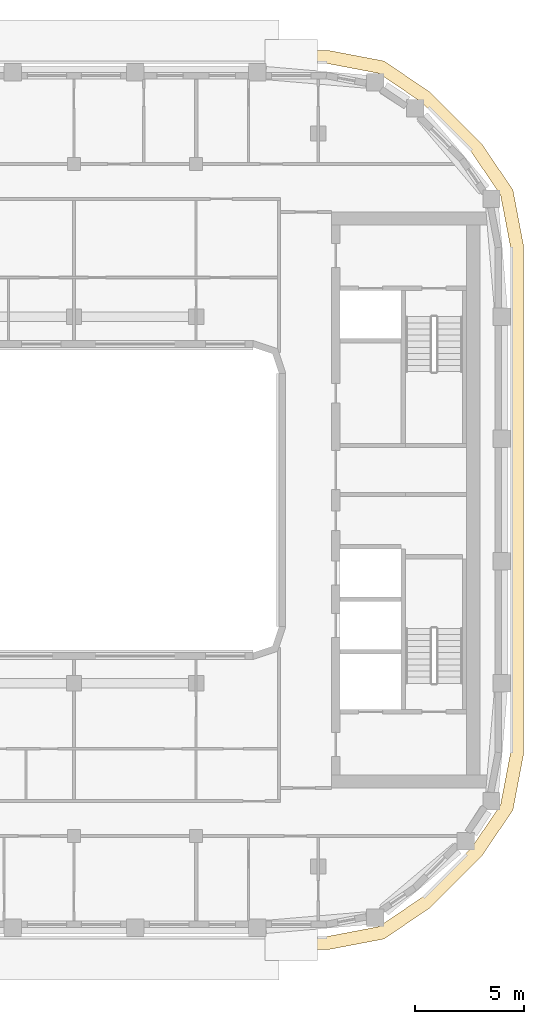
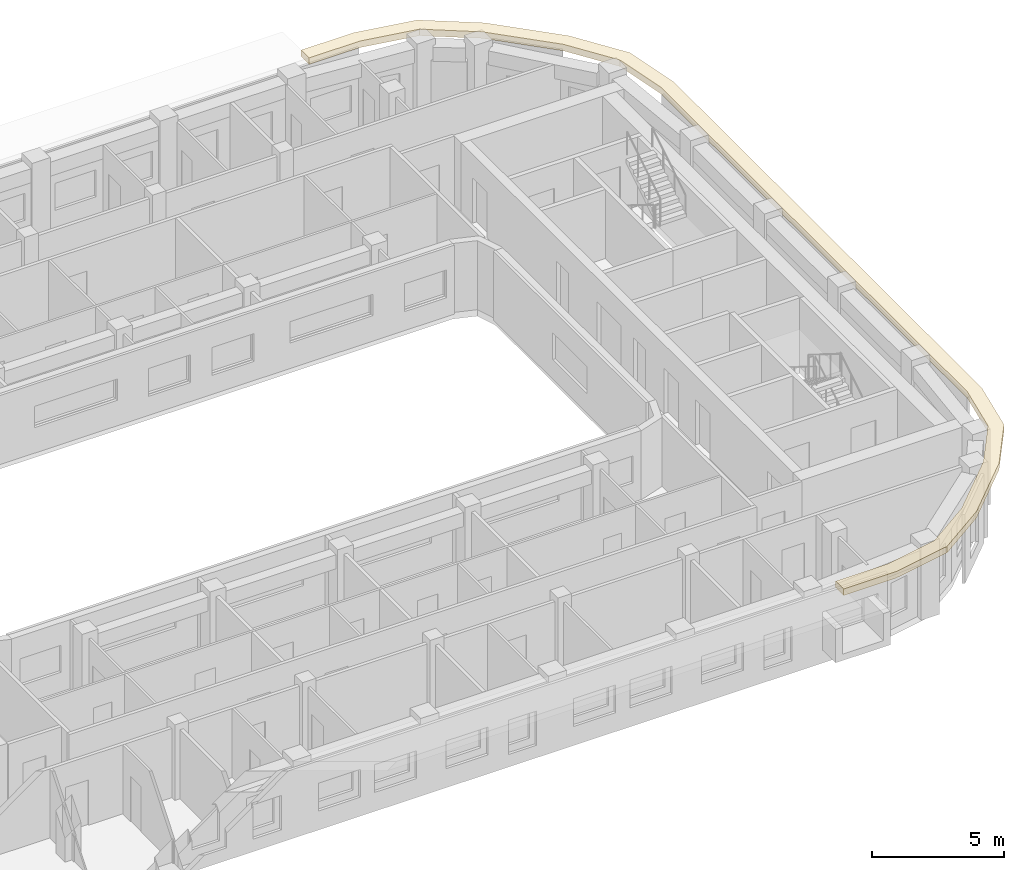
# One storey, part 14 of 16: 1 covering.
"""IFC4 building model written with IfcOpenShell, lengths in metres."""

from ifc_helpers import new_model, si_unit, direction, frame, origin, place, context, subcontext, project, spatial, polyline, outline, extrude, material, layer, layer_set, type_object, element, save


model = new_model("IFC4")

# Units and contexts
model_context = context("Model", 3, precision=1e-05, world=origin(), true_north=direction((0.0, 1.0)))
body_context = subcontext(model_context, "Body", "Model", "MODEL_VIEW")
ifc_project = project(units=[si_unit("LENGTHUNIT", "METRE"), si_unit("AREAUNIT", "SQUARE_METRE"), si_unit("VOLUMEUNIT", "CUBIC_METRE"), si_unit("PLANEANGLEUNIT", "RADIAN"), si_unit("MASSUNIT", "GRAM", prefix="KILO")], contexts=[model_context])

# Site, building, storey
site_placement = place(None, origin())
site = spatial("IfcSite", under=ifc_project, at=site_placement, CompositionType="ELEMENT")
building_placement = place(site_placement, origin())
building = spatial("IfcBuilding", under=site, at=building_placement, Name="Kiln Ring Residences", CompositionType="ELEMENT")
storey_placement = place(building_placement, frame((0.0, 0.0, 259.199951171875)))
storey = spatial("IfcBuildingStorey", under=building, at=storey_placement, Name="L67", CompositionType="ELEMENT", Elevation=259.199951171875)

# Covering
ifc_material = material(Name="Black powder-coated steel", Category="steel")
ifc_layer = layer(ifc_material, 0.300048828125)
ifc_layer_set = layer_set([ifc_layer], Name="SUNSHADE FIN 600")
covering_type = type_object("IfcCoveringType", Name="SUNSHADE FIN 600", PredefinedType="CLADDING", material=ifc_layer_set)
covering_placement = place(storey_placement, frame((0.0, 0.0, 3.199951171875)))
element("IfcCovering", 1, at=covering_placement, inside=storey, type_object=covering_type, Name="SUNSHADE FIN L67", PredefinedType="CLADDING", context=body_context, shape_type="SweptSolid", body=[
    extrude(outline(polyline([(17.29443359375, 20.60009765625), (15.0, 20.60009765625), (15.0, 20.0), (17.23779296875, 20.0), (19.58056640625, 19.552978515625), (21.55322265625, 18.21240234375), (23.8125, 15.953125), (25.153076171875, 13.980712890625), (25.60009765625, 11.6376953125), (25.60009765625, -11.6376953125), (25.153076171875, -13.980712890625), (23.8125, -15.953125), (21.55322265625, -18.21240234375), (19.58056640625, -19.552978515625), (17.23779296875, -20.0), (15.0, -20.0), (15.0, -20.60009765625), (17.29443359375, -20.60009765625), (19.815185546875, -20.119140625), (21.937255859375, -18.677001953125), (24.27685546875, -16.33740234375), (25.71923828125, -14.215087890625), (26.199951171875, -11.694580078125), (26.199951171875, 11.694580078125), (25.71923828125, 14.215087890625), (24.27685546875, 16.33740234375), (21.937255859375, 18.677001953125), (19.815185546875, 20.119140625), (17.29443359375, 20.60009765625)])), origin(), (0.0, 0.0, 1.0), 0.300048828125),
])

save(model, "model.ifc")
